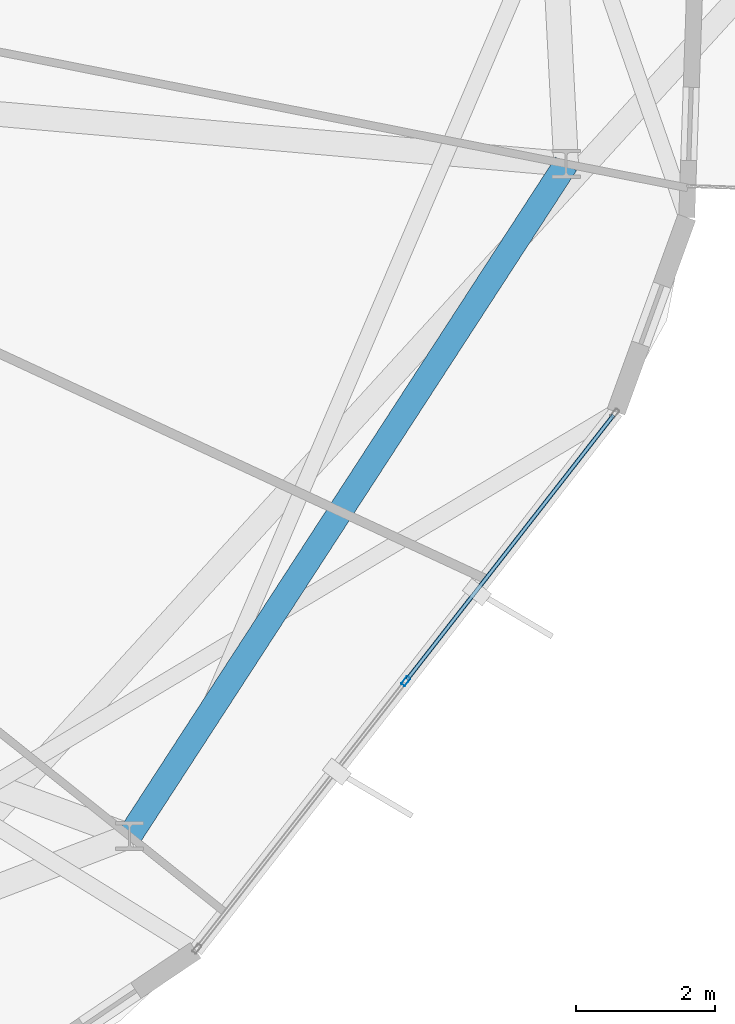
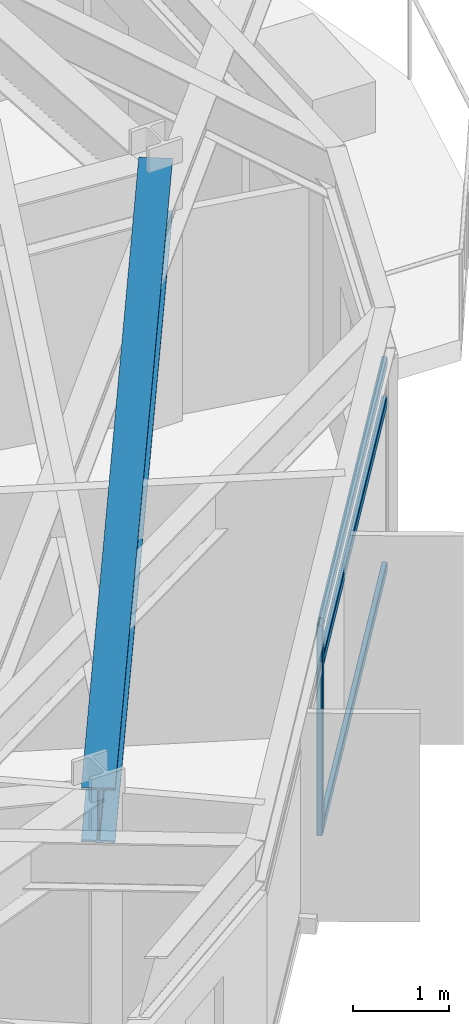
# One storey, part 11 of 30: 4 members, 1 beam, 1 element without a shape of its own.
"""IFC4 building model written with IfcOpenShell, lengths in metres."""

from ifc_helpers import new_model, si_unit, direction, frame, origin, origin_2d, place, context, subcontext, project, spatial, hollow_rectangle, i_section, extrude, material, layer, layer_set, material_profile, profile_set, type_object, element, aggregate, save


model = new_model("IFC4")

# Units and contexts
model_context = context("Model", 3, precision=1e-05, world=origin(), true_north=direction((0.0, 1.0)))
body_context = subcontext(model_context, "Body", "Model", "MODEL_VIEW")
ifc_project = project(units=[si_unit("LENGTHUNIT", "METRE"), si_unit("AREAUNIT", "SQUARE_METRE"), si_unit("VOLUMEUNIT", "CUBIC_METRE"), si_unit("PLANEANGLEUNIT", "RADIAN"), si_unit("MASSUNIT", "GRAM", prefix="KILO")], contexts=[model_context])

# Site, building, storey
site_placement = place(None, origin())
site = spatial("IfcSite", under=ifc_project, at=site_placement, CompositionType="ELEMENT")
building_placement = place(site_placement, origin())
building = spatial("IfcBuilding", under=site, at=building_placement, Name="Soratama Intermodal Tower", CompositionType="ELEMENT")
storey_placement = place(building_placement, frame((0.0, 0.0, 223.0)))
storey = spatial("IfcBuildingStorey", under=building, at=storey_placement, Name="L56", CompositionType="ELEMENT", Elevation=223.0)

# Beam
ifc_material_1 = material(Name="Structural steel ASTM A992 Grade 50", Category="steel")
ifc_material_profile_1 = material_profile(ifc_material_1, i_section(OverallWidth=0.35498046875, OverallDepth=0.695068359375, WebThickness=0.015380859375, FlangeThickness=0.02490234375, FilletRadius=0.01611328125, at=origin_2d()), Name="W27X146")
ifc_profile_set_1 = profile_set([ifc_material_profile_1], Name="Structural steel ASTM A992 Grade 50")
beam_type = type_object("IfcBeamType", Name="BM-RING-W27X146", PredefinedType="BEAM", material=ifc_profile_set_1)
beam_placement = place(storey_placement, frame((56.705078125, 10.544921875, 2.952392578125), z_axis=(0.544637453764, 0.83867159482, 0.0), x_axis=(-0.83867159482, 0.544637453764, 0.0)))
element("IfcBeam", 1, at=beam_placement, inside=storey, type_object=beam_type, Name="BM-L56-RING-09", PredefinedType="BEAM", context=body_context, shape_type="SweptSolid", body=[
    extrude(i_section(OverallWidth=0.35498046875, OverallDepth=0.695068359375, WebThickness=0.015380859375, FlangeThickness=0.02490234375, FilletRadius=0.01611328125, at=origin_2d()), origin(), (0.0, 0.0, 1.0), 11.49560546875),
])

# Curtain wall, members
ifc_material_2 = material(Name="Double-glazed aluminium curtain wall", Category="aluminium")
ifc_layer = layer(ifc_material_2, 0.159912109375)
ifc_layer_set = layer_set([ifc_layer], Name="Double-glazed aluminium curtain wall")
curtain_wall_type = type_object("IfcCurtainWallType", Name="CW-SYS-5", PredefinedType="NOTDEFINED", material=ifc_layer_set)
curtain_wall_placement = place(storey_placement, origin())
curtain_wall = element("IfcCurtainWall", 2, at=curtain_wall_placement, inside=storey, type_object=curtain_wall_type, Name="L56 Faceted Curtain Wall F08", PredefinedType="NOTDEFINED")
ifc_material_3 = material(Name="Anodised aluminium AA 6063-T6", Category="aluminium")
ifc_material_profile_2 = material_profile(ifc_material_3, hollow_rectangle(XDim=0.06494140625, YDim=0.139892578125, WallThickness=0.0048828125, InnerFilletRadius=0.0048828125, OuterFilletRadius=0.010009765625, at=origin_2d()), Name="CWM140X65X5")
ifc_profile_set_2 = profile_set([ifc_material_profile_2], Name="Anodised aluminium AA 6063-T6")
member_type_1 = type_object("IfcMemberType", Name="MT-CWM-5", PredefinedType="MULLION", material=ifc_profile_set_2)
member_1_placement = place(storey_placement, frame((60.66748046875, 12.767822265625, 0.0), z_axis=(0.0, 0.0, 1.0), x_axis=(-0.788224252464, 0.615388111542, 0.0)))
member_1 = element("IfcMember", 3, at=member_1_placement, type_object=member_type_1, Name="CW-5 mullion 2", PredefinedType="MULLION", context=body_context, shape_type="SweptSolid", body=[
    extrude(hollow_rectangle(XDim=0.06494140625, YDim=0.139892578125, WallThickness=0.0048828125, InnerFilletRadius=0.0048828125, OuterFilletRadius=0.010009765625, at=origin_2d()), origin(), (0.0, 0.0, 1.0), 2.678955078125),
])
ifc_material_4 = material(Name="Anodised aluminium AA 6063-T6", Category="aluminium")
ifc_material_profile_3 = material_profile(ifc_material_4, hollow_rectangle(XDim=0.06005859375, YDim=0.1298828125, WallThickness=0.0048828125, InnerFilletRadius=0.0048828125, OuterFilletRadius=0.010009765625, at=origin_2d()), Name="CWT130X60X5")
ifc_profile_set_3 = profile_set([ifc_material_profile_3], Name="Anodised aluminium AA 6063-T6")
member_type_2 = type_object("IfcMemberType", Name="TT-CWT-2", PredefinedType="USERDEFINED", material=ifc_profile_set_3)
member_2_placement = place(storey_placement, frame((60.68603515625, 12.79150390625, 0.030029296875), z_axis=(0.615370117377, 0.788238300668, 0.0), x_axis=(-0.788238300668, 0.615370117377, 0.0)))
member_2 = element("IfcMember", 4, at=member_2_placement, type_object=member_type_2, Name="CW-5 transom 2.1", ObjectType="TRANSOM", PredefinedType="USERDEFINED", context=body_context, shape_type="SweptSolid", body=[
    extrude(hollow_rectangle(XDim=0.06005859375, YDim=0.1298828125, WallThickness=0.0048828125, InnerFilletRadius=0.0048828125, OuterFilletRadius=0.010009765625, at=origin_2d()), origin(), (0.0, 0.0, 1.0), 4.808837890625),
])
member_3_placement = place(storey_placement, frame((60.68603515625, 12.79150390625, 2.14990234375), z_axis=(0.615370117377, 0.788238300668, 0.0), x_axis=(-0.788238300668, 0.615370117377, 0.0)))
member_3 = element("IfcMember", 5, at=member_3_placement, type_object=member_type_2, Name="CW-5 transom 2.2", ObjectType="TRANSOM", PredefinedType="USERDEFINED", context=body_context, shape_type="SweptSolid", body=[
    extrude(hollow_rectangle(XDim=0.06005859375, YDim=0.1298828125, WallThickness=0.0048828125, InnerFilletRadius=0.0048828125, OuterFilletRadius=0.010009765625, at=origin_2d()), origin(), (0.0, 0.0, 1.0), 4.808837890625),
])
member_4_placement = place(storey_placement, frame((60.68603515625, 12.79150390625, 2.64892578125), z_axis=(0.615370117377, 0.788238300668, 0.0), x_axis=(-0.788238300668, 0.615370117377, 0.0)))
member_4 = element("IfcMember", 6, at=member_4_placement, type_object=member_type_2, Name="CW-5 transom 2.3", ObjectType="TRANSOM", PredefinedType="USERDEFINED", context=body_context, shape_type="SweptSolid", body=[
    extrude(hollow_rectangle(XDim=0.06005859375, YDim=0.1298828125, WallThickness=0.0048828125, InnerFilletRadius=0.0048828125, OuterFilletRadius=0.010009765625, at=origin_2d()), origin(), (0.0, 0.0, 1.0), 4.808837890625),
])
aggregate(curtain_wall, [member_1, member_2, member_3, member_4])

save(model, "model.ifc")
